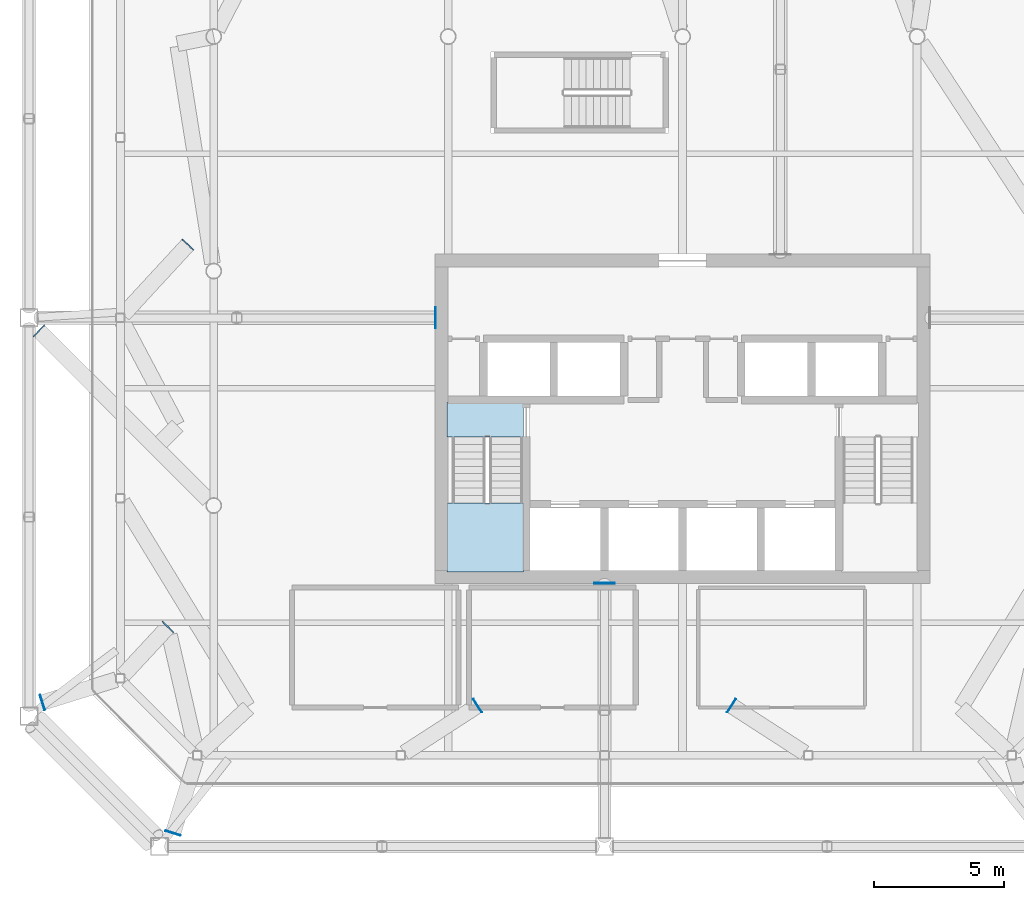
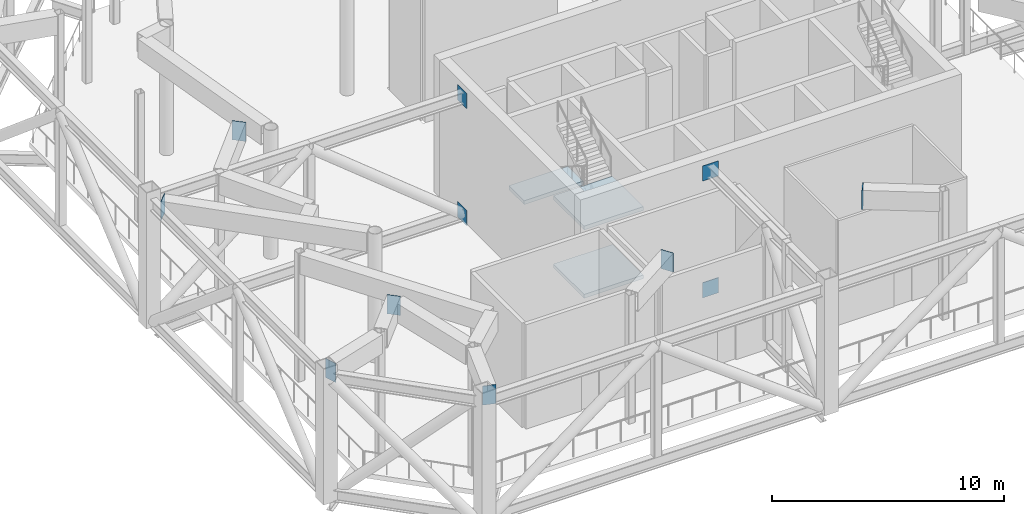
# One storey, part 7 of 17: 11 plates, 3 slabs, 1 element without a shape of its own.
"""IFC4 building model written with IfcOpenShell, lengths in metres."""

from ifc_helpers import new_model, si_unit, direction, frame, origin, origin_2d, place, context, subcontext, project, spatial, polyline, rectangle, outline, extrude, material, layer, layer_set, material_profile, profile_set, type_object, element, aggregate, save


model = new_model("IFC4")

# Units and contexts
model_context = context("Model", 3, precision=1e-05, world=origin(), true_north=direction((0.0, 1.0)))
body_context = subcontext(model_context, "Body", "Model", "MODEL_VIEW")
ifc_project = project(units=[si_unit("LENGTHUNIT", "METRE"), si_unit("AREAUNIT", "SQUARE_METRE"), si_unit("VOLUMEUNIT", "CUBIC_METRE"), si_unit("PLANEANGLEUNIT", "RADIAN"), si_unit("MASSUNIT", "GRAM", prefix="KILO")], contexts=[model_context])

# Site, building, storey
site_placement = place(None, origin())
site = spatial("IfcSite", under=ifc_project, at=site_placement, CompositionType="ELEMENT")
building_placement = place(site_placement, origin())
building = spatial("IfcBuilding", under=site, at=building_placement, Name="Tskaro Facet Tower", CompositionType="ELEMENT")
storey_placement = place(building_placement, frame((0.0, 0.0, 210.0)))
storey = spatial("IfcBuildingStorey", under=building, at=storey_placement, Name="L54", CompositionType="ELEMENT", Elevation=210.0)

# Plates
ifc_material_1 = material(Name="Steel S355J2", Category="steel")
ifc_material_profile_1 = material_profile(ifc_material_1, rectangle(XDim=0.60009765625, YDim=1.0, at=origin_2d()), Name="PL 600x1000x30 end plate")
ifc_profile_set_1 = profile_set([ifc_material_profile_1], Name="Steel S355J2")
plate_type_1 = type_object("IfcPlateType", Name="PL 600x1000x30 end plate", PredefinedType="SHEET", material=ifc_profile_set_1)
for number, where, z_axis, x_axis, name in (
    (1, (-24.696044921875, -2.302001953125, 6.280029296875), (-0.707106781187, 0.707106781187, 0.0), (-0.707106781187, -0.707106781187, 0.0), "End plate CP8-33"),
    (2, (-19.556884765625, -21.559814453125, 6.280029296875), (-0.301521356078, -0.953459423273, 0.0), (0.953459423273, -0.301521356078, 0.0), "End plate CP8-35"),
    (3, (-24.559814453125, -16.556884765625, 6.280029296875), (-0.953459423273, -0.301521356078, 0.0), (0.301521356078, -0.953459423273, 0.0), "End plate CP8-37"),
):
    element("IfcPlate", number, at=place(storey_placement, frame(where, z_axis=z_axis, x_axis=x_axis)), inside=storey, type_object=plate_type_1, Name=name, PredefinedType="SHEET", context=body_context, shape_type="SweptSolid", body=[
        extrude(rectangle(XDim=0.60009765625, YDim=1.0, at=origin_2d()), origin(), (0.0, 0.0, 1.0), 0.030029296875),
    ])
plate_placement = place(storey_placement, frame((-19.00244140625, 1.004638671875, 6.280029296875), z_axis=(0.677940786048, 0.735116514991, 0.0), x_axis=(-0.735116514991, 0.677940786048, 0.0)))
element("IfcPlate", 4, at=plate_placement, inside=storey, type_object=plate_type_1, Name="End plate CP8-42", PredefinedType="SHEET", context=body_context, shape_type="SweptSolid", body=[
    extrude(rectangle(XDim=0.60009765625, YDim=1.0, at=origin_2d()), origin(), (0.0, 0.0, 1.0), 0.02978515625),
])
for number, where, z_axis, x_axis, name in (
    (5, (-19.764892578125, -13.67138671875, 6.280029296875), (0.68231825036, 0.731055268243, 0.0), (-0.731055268243, 0.68231825036, 0.0), "End plate CP8-44"),
    (6, (-7.885009765625, -16.689453125, 6.280029296875), (0.838257628123, 0.545274379459, 0.0), (-0.545274379459, 0.838257628123, 0.0), "End plate CP8-47"),
    (7, (1.885009765625, -16.689453125, 6.280029296875), (-0.838257628123, 0.545274379459, 0.0), (-0.545274379459, -0.838257628123, 0.0), "End plate CP8-48"),
):
    element("IfcPlate", number, at=place(storey_placement, frame(where, z_axis=z_axis, x_axis=x_axis)), inside=storey, type_object=plate_type_1, Name=name, PredefinedType="SHEET", context=body_context, shape_type="SweptSolid", body=[
        extrude(rectangle(XDim=0.60009765625, YDim=1.0, at=origin_2d()), origin(), (0.0, 0.0, 1.0), 0.030029296875),
    ])
ifc_material_profile_2 = material_profile(ifc_material_1, rectangle(XDim=0.800048828125, YDim=0.800048828125, at=origin_2d()), Name="PL 800x800x30 cast-in plate")
ifc_profile_set_2 = profile_set([ifc_material_profile_2], Name="Steel S355J2")
plate_type_2 = type_object("IfcPlateType", Name="PL 800x800x30 cast-in plate", PredefinedType="SHEET", material=ifc_profile_set_2)
for number, where, z_axis, x_axis, name in (
    (8, (-3.0, -11.969970703125, 6.469970703125), (0.0, -1.0, 0.0), (1.0, 0.0, 0.0), "Cast-in plate AP1-19"),
    (9, (-3.0, -11.969970703125, 0.31005859375), (0.0, -1.0, 0.0), (1.0, 0.0, 0.0), "Cast-in plate AP1-20"),
    (10, (-9.469970703125, -1.79296875, 6.469970703125), (-1.0, 0.0, 0.0), (0.0, -1.0, 0.0), "Cast-in plate AP1-25"),
    (11, (-9.469970703125, -1.79296875, 0.31005859375), (-1.0, 0.0, 0.0), (0.0, -1.0, 0.0), "Cast-in plate AP1-26"),
):
    element("IfcPlate", number, at=place(storey_placement, frame(where, z_axis=z_axis, x_axis=x_axis)), inside=storey, type_object=plate_type_2, Name=name, PredefinedType="SHEET", context=body_context, shape_type="SweptSolid", body=[
        extrude(rectangle(XDim=0.800048828125, YDim=0.800048828125, at=origin_2d()), origin(), (0.0, 0.0, 1.0), 0.030029296875),
    ])

# Stair, slabs
ifc_material_2 = material(Name="Concrete C40/50", Category="concrete")
stair_type = type_object("IfcStairType", Name="ST-TWR", PredefinedType="HALF_TURN_STAIR", material=ifc_material_2)
stair_placement = place(storey_placement, origin())
stair = element("IfcStair", 12, at=stair_placement, inside=storey, type_object=stair_type, Name="L54 Exit stair 1", PredefinedType="HALF_TURN_STAIR")
ifc_layer = layer(ifc_material_2, 0.199951171875, Name="Concrete C40/50")
ifc_layer_set = layer_set([ifc_layer], Name="Concrete C40/50")
slab_type = type_object("IfcSlabType", Name="SL-LANDING", PredefinedType="LANDING", material=ifc_layer_set)
slab_1_placement = place(storey_placement, frame((0.0, 0.0, 1.60009765625)))
slab_1 = element("IfcSlab", 13, at=slab_1_placement, type_object=slab_type, Name="ST-1 landing 1", PredefinedType="LANDING", context=body_context, shape_type="SweptSolid", body=[
    extrude(outline(polyline([(-9.050048828125, -11.550048828125), (-6.10009765625, -11.550048828125), (-6.10009765625, -8.89501953125), (-9.050048828125, -8.89501953125), (-9.050048828125, -11.550048828125)])), origin(), (0.0, 0.0, 1.0), 0.199951171875),
])
slab_2_placement = place(storey_placement, frame((0.0, 0.0, 3.39990234375)))
slab_2 = element("IfcSlab", 14, at=slab_2_placement, type_object=slab_type, Name="ST-1 landing 2", PredefinedType="LANDING", context=body_context, shape_type="SweptSolid", body=[
    extrude(outline(polyline([(-9.050048828125, -6.375), (-6.10009765625, -6.375), (-6.10009765625, -5.050048828125), (-9.050048828125, -5.050048828125), (-9.050048828125, -6.375)])), origin(), (0.0, 0.0, 1.0), 0.2001953125),
])
slab_3_placement = place(storey_placement, frame((0.0, 0.0, 5.199951171875)))
slab_3 = element("IfcSlab", 15, at=slab_3_placement, type_object=slab_type, Name="ST-1 landing 3", PredefinedType="LANDING", context=body_context, shape_type="SweptSolid", body=[
    extrude(outline(polyline([(-9.050048828125, -11.550048828125), (-6.10009765625, -11.550048828125), (-6.10009765625, -8.89501953125), (-9.050048828125, -8.89501953125), (-9.050048828125, -11.550048828125)])), origin(), (0.0, 0.0, 1.0), 0.199951171875),
])
aggregate(stair, [slab_1, slab_2, slab_3])

save(model, "model.ifc")
